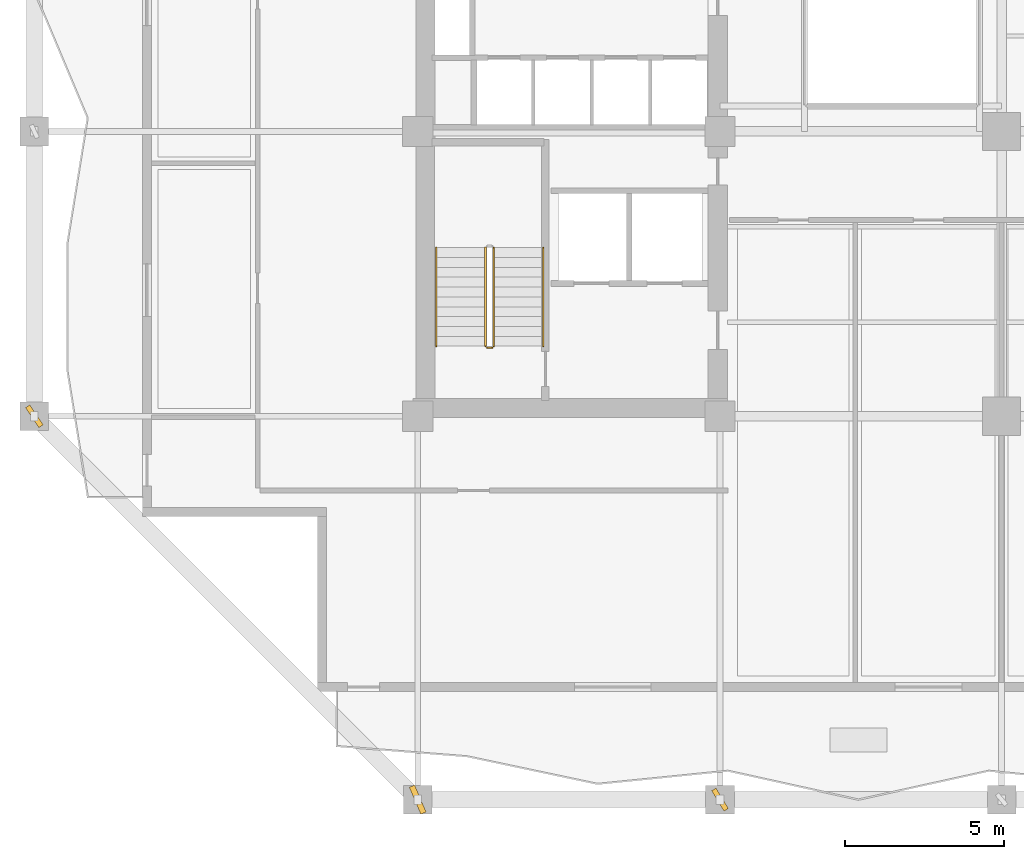
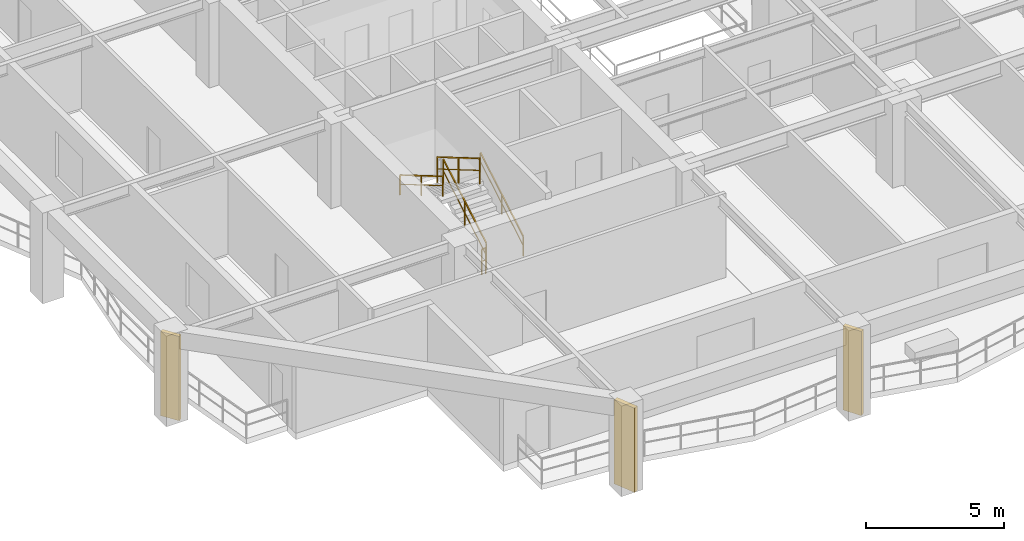
# One storey, part 7 of 13: 5 railings, 3 shading devices.
"""IFC4 building model written with IfcOpenShell, lengths in metres."""

from ifc_helpers import new_model, si_unit, direction, frame, origin, origin_2d, place, context, subcontext, project, spatial, rectangle, extrude, material, type_object, element, save


model = new_model("IFC4")

# Units and contexts
model_context = context("Model", 3, precision=1e-05, world=origin(), true_north=direction((0.0, 1.0)))
body_context = subcontext(model_context, "Body", "Model", "MODEL_VIEW")
ifc_project = project(units=[si_unit("LENGTHUNIT", "METRE"), si_unit("AREAUNIT", "SQUARE_METRE"), si_unit("VOLUMEUNIT", "CUBIC_METRE"), si_unit("PLANEANGLEUNIT", "RADIAN"), si_unit("MASSUNIT", "GRAM", prefix="KILO")], contexts=[model_context])

# Site, building, storey
site_placement = place(None, origin())
site = spatial("IfcSite", under=ifc_project, at=site_placement, CompositionType="ELEMENT")
building_placement = place(site_placement, origin())
building = spatial("IfcBuilding", under=site, at=building_placement, Name="Kundavana Baori Tower", CompositionType="ELEMENT")
storey_placement = place(building_placement, frame((0.0, 0.0, 54.0)))
storey = spatial("IfcBuildingStorey", under=building, at=storey_placement, Name="L12", CompositionType="ELEMENT", Elevation=54.0)

# Railings
ifc_material_1 = material(Name="Architectural Patinated Bronze Metalwork")
railing_type_1 = type_object("IfcRailingType", Name="RL-GRD-1150", PredefinedType="GUARDRAIL", material=ifc_material_1)
railing_1_placement = place(storey_placement, frame((17.840087890625, 17.449951171875, 0.181884765625)))
element("IfcRailing", 1, at=railing_1_placement, inside=storey, type_object=railing_type_1, Name="L12 ST1 stair guard 1", PredefinedType="GUARDRAIL", context=body_context, shape_type="SweptSolid", body=[
    extrude(rectangle(XDim=0.048095703125, YDim=0.048095703125, at=origin_2d()), frame((0.0, 0.0, 1.1259765625), z_axis=(0.0, 0.862598821094, 0.505888598258), x_axis=(-1.0, 0.0, 0.0)), (0.0, 0.0, 1.0), 3.593994140625),
    extrude(rectangle(XDim=0.03125, YDim=0.03125, at=origin_2d()), frame((0.0, 0.0, 0.597900390625), z_axis=(0.0, 0.862598821094, 0.505888598258), x_axis=(-1.0, 0.0, 0.0)), (0.0, 0.0, 1.0), 3.593994140625),
    extrude(rectangle(XDim=0.0419921875, YDim=0.0419921875, at=origin_2d()), origin(), (0.0, 0.0, 1.0), 1.101806640625),
    extrude(rectangle(XDim=0.0419921875, YDim=0.0419921875, at=origin_2d()), frame((0.0, 1.550048828125, 0.9091796875)), (0.0, 0.0, 1.0), 1.101806640625),
    extrude(rectangle(XDim=0.0419921875, YDim=0.0419921875, at=origin_2d()), frame((0.0, 3.10009765625, 1.818115234375)), (0.0, 0.0, 1.0), 1.101806640625),
])
railing_2_placement = place(storey_placement, frame((17.580078125, 20.550048828125, 2.181884765625)))
element("IfcRailing", 2, at=railing_2_placement, inside=storey, type_object=railing_type_1, Name="L12 ST1 stair guard 3", PredefinedType="GUARDRAIL", context=body_context, shape_type="SweptSolid", body=[
    extrude(rectangle(XDim=0.048095703125, YDim=0.048095703125, at=origin_2d()), frame((0.0, 0.0, 1.1259765625), z_axis=(0.0, -0.862598821094, 0.505888598258), x_axis=(1.0, 0.0, 0.0)), (0.0, 0.0, 1.0), 3.593994140625),
    extrude(rectangle(XDim=0.03125, YDim=0.03125, at=origin_2d()), frame((0.0, 0.0, 0.597900390625), z_axis=(0.0, -0.862598821094, 0.505888598258), x_axis=(1.0, 0.0, 0.0)), (0.0, 0.0, 1.0), 3.593994140625),
    extrude(rectangle(XDim=0.0419921875, YDim=0.0419921875, at=origin_2d()), origin(), (0.0, 0.0, 1.0), 1.101806640625),
    extrude(rectangle(XDim=0.0419921875, YDim=0.0419921875, at=origin_2d()), frame((0.0, -1.550048828125, 0.9091796875)), (0.0, 0.0, 1.0), 1.101806640625),
    extrude(rectangle(XDim=0.0419921875, YDim=0.0419921875, at=origin_2d()), frame((0.0, -3.10009765625, 1.818115234375)), (0.0, 0.0, 1.0), 1.101806640625),
])
railing_3_placement = place(storey_placement, frame((17.7900390625, 17.39990234375, 0.0)))
element("IfcRailing", 3, at=railing_3_placement, inside=storey, type_object=railing_type_1, Name="L12 ST1 stair guard 4", PredefinedType="GUARDRAIL", context=body_context, shape_type="SweptSolid", body=[
    extrude(rectangle(XDim=0.048095703125, YDim=0.048095703125, at=origin_2d()), frame((0.0, 0.0, 1.1259765625), z_axis=(-1.0, 0.0, 0.0), x_axis=(0.0, -1.0, 0.0)), (0.0, 0.0, 1.0), 0.16015625),
    extrude(rectangle(XDim=0.03125, YDim=0.03125, at=origin_2d()), frame((0.0, 0.0, 0.597900390625), z_axis=(-1.0, 0.0, 0.0), x_axis=(0.0, -1.0, 0.0)), (0.0, 0.0, 1.0), 0.16015625),
    extrude(rectangle(XDim=0.0419921875, YDim=0.0419921875, at=origin_2d()), origin(), (0.0, 0.0, 1.0), 1.101806640625),
    extrude(rectangle(XDim=0.0419921875, YDim=0.0419921875, at=origin_2d()), frame((-0.16015625, 0.0, 0.0)), (0.0, 0.0, 1.0), 1.101806640625),
])
ifc_material_2 = material(Name="Architectural Patinated Bronze Metalwork")
railing_type_2 = type_object("IfcRailingType", Name="RL-HND-920", PredefinedType="HANDRAIL", material=ifc_material_2)
railing_4_placement = place(storey_placement, frame((19.389892578125, 17.449951171875, 0.181884765625)))
element("IfcRailing", 4, at=railing_4_placement, inside=storey, type_object=railing_type_2, Name="L12 ST1 stair handrail 1", PredefinedType="HANDRAIL", context=body_context, shape_type="SweptSolid", body=[
    extrude(rectangle(XDim=0.048095703125, YDim=0.048095703125, at=origin_2d()), frame((0.0, 0.0, 0.8759765625), z_axis=(0.0, 0.862598821094, 0.505888598258), x_axis=(-1.0, 0.0, 0.0)), (0.0, 0.0, 1.0), 3.593994140625),
    extrude(rectangle(XDim=0.03125, YDim=0.03125, at=origin_2d()), frame((0.0, 0.0, 0.468017578125), z_axis=(0.0, 0.862598821094, 0.505888598258), x_axis=(-1.0, 0.0, 0.0)), (0.0, 0.0, 1.0), 3.593994140625),
    extrude(rectangle(XDim=0.0419921875, YDim=0.0419921875, at=origin_2d()), origin(), (0.0, 0.0, 1.0), 0.851806640625),
    extrude(rectangle(XDim=0.0419921875, YDim=0.0419921875, at=origin_2d()), frame((0.0, 1.550048828125, 0.9091796875)), (0.0, 0.0, 1.0), 0.851806640625),
    extrude(rectangle(XDim=0.0419921875, YDim=0.0419921875, at=origin_2d()), frame((0.0, 3.10009765625, 1.818115234375)), (0.0, 0.0, 1.0), 0.851806640625),
])
railing_5_placement = place(storey_placement, frame((16.030029296875, 20.550048828125, 2.181884765625)))
element("IfcRailing", 5, at=railing_5_placement, inside=storey, type_object=railing_type_2, Name="L12 ST1 stair handrail 2", PredefinedType="HANDRAIL", context=body_context, shape_type="SweptSolid", body=[
    extrude(rectangle(XDim=0.048095703125, YDim=0.048095703125, at=origin_2d()), frame((0.0, 0.0, 0.8759765625), z_axis=(0.0, -0.862598821094, 0.505888598258), x_axis=(1.0, 0.0, 0.0)), (0.0, 0.0, 1.0), 3.593994140625),
    extrude(rectangle(XDim=0.03125, YDim=0.03125, at=origin_2d()), frame((0.0, 0.0, 0.468017578125), z_axis=(0.0, -0.862598821094, 0.505888598258), x_axis=(1.0, 0.0, 0.0)), (0.0, 0.0, 1.0), 3.593994140625),
    extrude(rectangle(XDim=0.0419921875, YDim=0.0419921875, at=origin_2d()), origin(), (0.0, 0.0, 1.0), 0.851806640625),
    extrude(rectangle(XDim=0.0419921875, YDim=0.0419921875, at=origin_2d()), frame((0.0, -1.550048828125, 0.9091796875)), (0.0, 0.0, 1.0), 0.851806640625),
    extrude(rectangle(XDim=0.0419921875, YDim=0.0419921875, at=origin_2d()), frame((0.0, -3.10009765625, 1.818115234375)), (0.0, 0.0, 1.0), 0.851806640625),
])

# Shading devices
ifc_material_3 = material(Name="Red-Buff Dholpur Sandstone Cladding on Concrete C40/50", Category="masonry")
shading_device_type_1 = type_object("IfcShadingDeviceType", Name="SHD-FIN-750", PredefinedType="JALOUSIE", material=ifc_material_3)
for number, where, z_axis, x_axis, name in (
    (6, (24.949951171875, 3.199951171875, 0.0), (0.0, 0.0, 1.0), (0.855635381204, 0.517579070704, 0.0), "L12 Sweeping Dholpur Sandstone Facade Fin 2"),
    (7, (3.39990234375, 15.25, 0.0), (0.0, 0.0, 1.0), (0.826786154745, 0.562516359159, 0.0), "L12 Sweeping Dholpur Sandstone Facade Fin 5"),
):
    element("IfcShadingDevice", number, at=place(storey_placement, frame(where, z_axis=z_axis, x_axis=x_axis)), inside=storey, type_object=shading_device_type_1, Name=name, PredefinedType="JALOUSIE", context=body_context, shape_type="SweptSolid", body=[
        extrude(rectangle(XDim=0.159912109375, YDim=0.75, at=origin_2d()), origin(), (0.0, 0.0, 1.0), 3.719970703125),
    ])
ifc_material_4 = material(Name="Red-Buff Dholpur Sandstone Cladding on Concrete C40/50", Category="masonry")
shading_device_type_2 = type_object("IfcShadingDeviceType", Name="SHD-FIN-920", PredefinedType="JALOUSIE", material=ifc_material_4)
shading_device_placement = place(storey_placement, frame((15.449951171875, 3.199951171875, 0.0), z_axis=(0.0, 0.0, 1.0), x_axis=(0.919341480754, 0.393460597474, 0.0)))
element("IfcShadingDevice", 8, at=shading_device_placement, inside=storey, type_object=shading_device_type_2, Name="L12 Sweeping Dholpur Sandstone Facade Fin 1", PredefinedType="JALOUSIE", context=body_context, shape_type="SweptSolid", body=[
    extrude(rectangle(XDim=0.179931640625, YDim=0.919921875, at=origin_2d()), origin(), (0.0, 0.0, 1.0), 3.719970703125),
])

save(model, "model.ifc")
